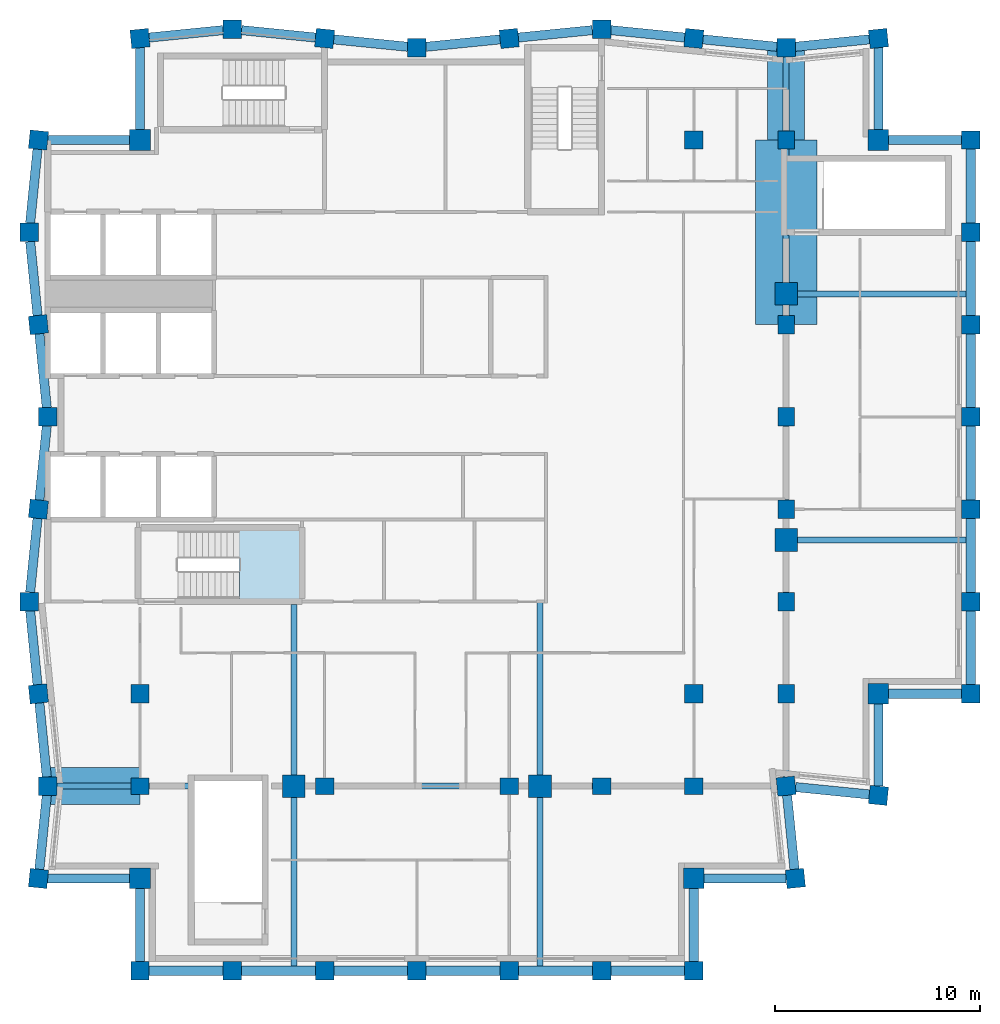
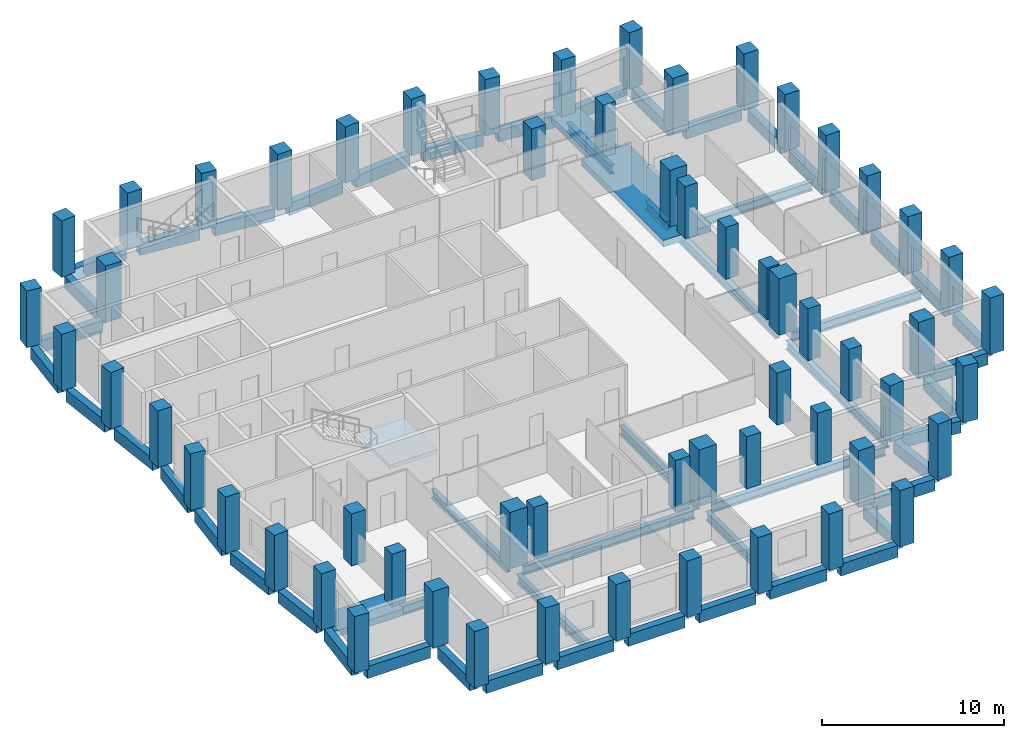
# One storey, part 1 of 7: 58 columns, 56 beams, 1 slab, 1 element without a shape of its own.
"""IFC4 building model written with IfcOpenShell, lengths in metres."""

from ifc_helpers import new_model, si_unit, direction, frame, origin, origin_2d, place, context, subcontext, project, spatial, polyline, rectangle, i_section, outline, extrude, material, layer, layer_set, material_profile, profile_set, type_object, element, aggregate, save


model = new_model("IFC4")

# Units and contexts
model_context = context("Model", 3, precision=1e-05, world=origin(), true_north=direction((0.0, 1.0)))
body_context = subcontext(model_context, "Body", "Model", "MODEL_VIEW")
ifc_project = project(units=[si_unit("LENGTHUNIT", "METRE"), si_unit("AREAUNIT", "SQUARE_METRE"), si_unit("VOLUMEUNIT", "CUBIC_METRE"), si_unit("PLANEANGLEUNIT", "RADIAN"), si_unit("MASSUNIT", "GRAM", prefix="KILO")], contexts=[model_context])

# Site, building, storey
site_placement = place(None, origin())
site = spatial("IfcSite", under=ifc_project, at=site_placement, CompositionType="ELEMENT")
building_placement = place(site_placement, origin())
building = spatial("IfcBuilding", under=site, at=building_placement, Name="Brondeck Convention Tower", CompositionType="ELEMENT")
storey_placement = place(building_placement, frame((0.0, 0.0, 279.0)))
storey = spatial("IfcBuildingStorey", under=building, at=storey_placement, Name="L69", CompositionType="ELEMENT", Elevation=279.0)

# Columns
ifc_material_1 = material(Name="Concrete C50/60", Category="concrete")
ifc_material_profile_1 = material_profile(ifc_material_1, rectangle(XDim=1.0, YDim=1.0, at=origin_2d()), Name="Corner column 1000x1000 Concrete C50/60")
ifc_profile_set_1 = profile_set([ifc_material_profile_1], Name="Concrete C50/60")
column_type_1 = type_object("IfcColumnType", Name="Corner column 1000x1000 Concrete C50/60", PredefinedType="COLUMN", material=ifc_profile_set_1)
for number, where, z_axis, x_axis, name in (
    (1, (4.5, 22.5, 0.0), (0.0, 0.0, 1.0), (1.0, 0.0, 0.0), "STR-COL-L69-NC-SWB18"),
    (2, (31.5, 22.5, 0.0), (0.0, 0.0, 1.0), (1.0, 0.0, 0.0), "STR-COL-L69-NC-SEB18"),
    (3, (40.5, 31.5, 0.0), (0.0, 0.0, 1.0), (1.0, 0.0, 0.0), "STR-COL-L69-NC-SEA45"),
    (4, (40.5, 58.5, 0.0), (0.0, 0.0, 1.0), (1.0, 0.0, 0.0), "STR-COL-L69-NC-NEA45"),
    (5, (4.5, 58.5, 0.0), (0.0, 0.0, 1.0), (1.0, 0.0, 0.0), "STR-COL-L69-NC-NW"),
):
    element("IfcColumn", number, at=place(storey_placement, frame(where, z_axis=z_axis, x_axis=x_axis)), inside=storey, type_object=column_type_1, Name=name, PredefinedType="COLUMN", context=body_context, shape_type="SweptSolid", body=[
        extrude(rectangle(XDim=1.0, YDim=1.0, at=origin_2d()), origin(), (0.0, 0.0, 1.0), 3.800048828125),
    ])
ifc_material_profile_2 = material_profile(ifc_material_1, rectangle(XDim=1.10009765625, YDim=1.10009765625, at=origin_2d()), Name="Interior column 1100x1100 Concrete C50/60")
ifc_profile_set_2 = profile_set([ifc_material_profile_2], Name="Concrete C50/60")
column_type_2 = type_object("IfcColumnType", Name="Interior column 1100x1100 Concrete C50/60", PredefinedType="COLUMN", material=ifc_profile_set_2)
for number, where, z_axis, x_axis, name in (
    (6, (12.0, 27.0, 0.0), (0.0, 0.0, 1.0), (1.0, 0.0, 0.0), "STR-COL-L69-IC-03"),
    (7, (24.0, 27.0, 0.0), (0.0, 0.0, 1.0), (1.0, 0.0, 0.0), "STR-COL-L69-IC-06"),
    (8, (36.0, 39.0, 0.0), (0.0, 0.0, 1.0), (1.0, 0.0, 0.0), "STR-COL-L69-IC-07"),
    (9, (36.0, 51.0, 0.0), (0.0, 0.0, 1.0), (1.0, 0.0, 0.0), "STR-COL-L69-IC-08"),
):
    element("IfcColumn", number, at=place(storey_placement, frame(where, z_axis=z_axis, x_axis=x_axis)), inside=storey, type_object=column_type_2, Name=name, PredefinedType="COLUMN", context=body_context, shape_type="SweptSolid", body=[
        extrude(rectangle(XDim=1.10009765625, YDim=1.10009765625, at=origin_2d()), origin(), (0.0, 0.0, 1.0), 3.800048828125),
    ])
ifc_material_profile_3 = material_profile(ifc_material_1, rectangle(XDim=0.89990234375, YDim=0.800048828125, at=origin_2d()), Name="Perimeter pier 900x800 Concrete C50/60")
ifc_profile_set_3 = profile_set([ifc_material_profile_3], Name="Concrete C50/60")
column_type_3 = type_object("IfcColumnType", Name="Perimeter pier 900x800 Concrete C50/60", PredefinedType="COLUMN", material=ifc_profile_set_3)
for number, where, z_axis, x_axis, name in (
    (10, (4.5, 27.0, 0.0), (0.0, 0.0, 1.0), (1.0, 0.0, 0.0), "Transfer post L69-47"),
    (11, (13.5, 27.0, 0.0), (0.0, 0.0, 1.0), (1.0, 0.0, 0.0), "Transfer post L69-49"),
    (12, (22.5, 27.0, 0.0), (0.0, 0.0, 1.0), (1.0, 0.0, 0.0), "Transfer post L69-50"),
    (13, (27.0, 27.0, 0.0), (0.0, 0.0, 1.0), (1.0, 0.0, 0.0), "Transfer post L69-51"),
    (14, (31.5, 27.0, 0.0), (0.0, 0.0, 1.0), (1.0, 0.0, 0.0), "Transfer post L69-52"),
    (15, (36.0, 31.5, 0.0), (0.0, 0.0, 1.0), (0.0, 1.0, 0.0), "Transfer post L69-55"),
    (16, (36.0, 36.0, 0.0), (0.0, 0.0, 1.0), (0.0, 1.0, 0.0), "Transfer post L69-56"),
    (17, (36.0, 40.5, 0.0), (0.0, 0.0, 1.0), (0.0, 1.0, 0.0), "Transfer post L69-57"),
    (18, (36.0, 45.0, 0.0), (0.0, 0.0, 1.0), (0.0, 1.0, 0.0), "Transfer post L69-58"),
    (19, (36.0, 49.5, 0.0), (0.0, 0.0, 1.0), (0.0, 1.0, 0.0), "Transfer post L69-59"),
    (20, (36.0, 58.5, 0.0), (0.0, 0.0, 1.0), (0.0, 1.0, 0.0), "Transfer post L69-60"),
):
    element("IfcColumn", number, at=place(storey_placement, frame(where, z_axis=z_axis, x_axis=x_axis)), inside=storey, type_object=column_type_3, Name=name, PredefinedType="COLUMN", context=body_context, shape_type="SweptSolid", body=[
        extrude(rectangle(XDim=0.89990234375, YDim=0.800048828125, at=origin_2d()), origin(), (0.0, 0.0, 1.0), 3.5),
    ])
ifc_material_profile_4 = material_profile(ifc_material_1, rectangle(XDim=0.89990234375, YDim=0.89990234375, at=origin_2d()), Name="Perimeter pier 900x900 Concrete C50/60")
ifc_profile_set_4 = profile_set([ifc_material_profile_4], Name="Concrete C50/60")
column_type_4 = type_object("IfcColumnType", Name="Perimeter pier 900x900 Concrete C50/60", PredefinedType="COLUMN", material=ifc_profile_set_4)
for number, where, z_axis, x_axis, name in (
    (21, (4.5, 18.0, 0.0), (0.0, 0.0, 1.0), (1.0, 0.0, 0.0), "STR-COL-L69-PC-B-S18-01"),
    (22, (9.0, 18.0, 0.0), (0.0, 0.0, 1.0), (1.0, 0.0, 0.0), "STR-COL-L69-PC-B-S18-02"),
    (23, (13.5, 18.0, 0.0), (0.0, 0.0, 1.0), (1.0, 0.0, 0.0), "STR-COL-L69-PC-B-S18-03"),
    (24, (18.0, 18.0, 0.0), (0.0, 0.0, 1.0), (1.0, 0.0, 0.0), "STR-COL-L69-PC-B-S18-04"),
    (25, (22.5, 18.0, 0.0), (0.0, 0.0, 1.0), (1.0, 0.0, 0.0), "STR-COL-L69-PC-B-S18-05"),
    (26, (27.0, 18.0, 0.0), (0.0, 0.0, 1.0), (1.0, 0.0, 0.0), "STR-COL-L69-PC-B-S18-06"),
    (27, (31.5, 18.0, 0.0), (0.0, 0.0, 1.0), (1.0, 0.0, 0.0), "STR-COL-L69-PC-B-S18-07"),
    (28, (36.449951171875, 22.5, 0.0), (0.0, 0.0, 1.0), (-0.0995038382, 0.995037178292, 0.0), "STR-COL-L69-PC-B-E-01"),
    (29, (36.0, 27.0, 0.0), (0.0, 0.0, 1.0), (-0.0995038382, 0.995037178292, 0.0), "STR-COL-L69-PC-B-E-00"),
    (30, (40.5, 26.550048828125, 0.0), (0.0, 0.0, 1.0), (0.995037178292, -0.0995038382, 0.0), "STR-COL-L69-PC-A-S-01"),
    (31, (45.0, 31.5, 0.0), (0.0, 0.0, 1.0), (0.0, 1.0, 0.0), "STR-COL-L69-PC-A-E45-01"),
    (32, (45.0, 36.0, 0.0), (0.0, 0.0, 1.0), (0.0, 1.0, 0.0), "STR-COL-L69-PC-A-E45-02"),
    (33, (45.0, 40.5, 0.0), (0.0, 0.0, 1.0), (0.0, 1.0, 0.0), "STR-COL-L69-PC-A-E45-03"),
    (34, (45.0, 45.0, 0.0), (0.0, 0.0, 1.0), (0.0, 1.0, 0.0), "STR-COL-L69-PC-A-E45-04"),
    (35, (45.0, 49.5, 0.0), (0.0, 0.0, 1.0), (0.0, 1.0, 0.0), "STR-COL-L69-PC-A-E45-05"),
    (36, (45.0, 54.0, 0.0), (0.0, 0.0, 1.0), (0.0, 1.0, 0.0), "STR-COL-L69-PC-A-E45-06"),
    (37, (45.0, 58.5, 0.0), (0.0, 0.0, 1.0), (0.0, 1.0, 0.0), "STR-COL-L69-PC-A-E45-07"),
    (38, (40.5, 63.449951171875, 0.0), (0.0, 0.0, 1.0), (-0.995037178292, -0.0995038382, 0.0), "STR-COL-L69-PC-A-N-09"),
    (39, (36.0, 63.0, 0.0), (0.0, 0.0, 1.0), (-1.0, 0.0, 0.0), "STR-COL-L69-PC-A-N-08"),
    (40, (31.5, 63.449951171875, 0.0), (0.0, 0.0, 1.0), (-0.995037178292, 0.0995038382, 0.0), "STR-COL-L69-PC-A-N-07"),
    (41, (27.0, 63.89990234375, 0.0), (0.0, 0.0, 1.0), (-1.0, 0.0, 0.0), "STR-COL-L69-PC-A-N-06"),
    (42, (22.5, 63.449951171875, 0.0), (0.0, 0.0, 1.0), (-0.995037178292, -0.0995038382, 0.0), "STR-COL-L69-PC-A-N-05"),
    (43, (18.0, 63.0, 0.0), (0.0, 0.0, 1.0), (-1.0, 0.0, 0.0), "STR-COL-L69-PC-A-N-04"),
    (44, (13.5, 63.449951171875, 0.0), (0.0, 0.0, 1.0), (-0.995037178292, 0.0995038382, 0.0), "STR-COL-L69-PC-A-N-03"),
    (45, (9.0, 63.89990234375, 0.0), (0.0, 0.0, 1.0), (-1.0, 0.0, 0.0), "STR-COL-L69-PC-A-N-02"),
    (46, (4.5, 63.449951171875, 0.0), (0.0, 0.0, 1.0), (-0.995037178292, -0.0995038382, 0.0), "STR-COL-L69-PC-A-N-01"),
    (47, (-0.449951171875, 58.5, 0.0), (0.0, 0.0, 1.0), (-0.0995038382, -0.995037178292, 0.0), "STR-COL-L69-PC-B-W-01"),
    (48, (-0.89990234375, 54.0, 0.0), (0.0, 0.0, 1.0), (0.0, -1.0, 0.0), "STR-COL-L69-PC-B-W-02"),
    (49, (-0.449951171875, 49.5, 0.0), (0.0, 0.0, 1.0), (0.0995038382, -0.995037178292, 0.0), "STR-COL-L69-PC-B-W-03"),
    (50, (0.0, 45.0, 0.0), (0.0, 0.0, 1.0), (0.0, -1.0, 0.0), "STR-COL-L69-PC-B-W-04"),
    (51, (-0.449951171875, 40.5, 0.0), (0.0, 0.0, 1.0), (-0.0995038382, -0.995037178292, 0.0), "STR-COL-L69-PC-B-W-05"),
    (52, (-0.89990234375, 36.0, 0.0), (0.0, 0.0, 1.0), (0.0, -1.0, 0.0), "STR-COL-L69-PC-B-W-06"),
    (53, (-0.449951171875, 31.5, 0.0), (0.0, 0.0, 1.0), (0.0995038382, -0.995037178292, 0.0), "STR-COL-L69-PC-B-W-07"),
    (54, (0.0, 27.0, 0.0), (0.0, 0.0, 1.0), (0.0, -1.0, 0.0), "STR-COL-L69-PC-B-W-08"),
    (55, (-0.449951171875, 22.5, 0.0), (0.0, 0.0, 1.0), (-0.0995038382, -0.995037178292, 0.0), "STR-COL-L69-PC-B-W-09"),
):
    element("IfcColumn", number, at=place(storey_placement, frame(where, z_axis=z_axis, x_axis=x_axis)), inside=storey, type_object=column_type_4, Name=name, PredefinedType="COLUMN", context=body_context, shape_type="SweptSolid", body=[
        extrude(rectangle(XDim=0.89990234375, YDim=0.89990234375, at=origin_2d()), origin(), (0.0, 0.0, 1.0), 3.800048828125),
    ])
for number, where, z_axis, x_axis, name in (
    (56, (4.5, 31.5, 0.0), (0.0, 0.0, 1.0), (1.0, 0.0, 0.0), "Transfer post L69-48"),
    (57, (31.5, 31.5, 0.0), (0.0, 0.0, 1.0), (1.0, 0.0, 0.0), "Transfer post L69-53"),
    (58, (31.5, 58.5, 0.0), (0.0, 0.0, 1.0), (1.0, 0.0, 0.0), "Transfer post L69-54"),
):
    element("IfcColumn", number, at=place(storey_placement, frame(where, z_axis=z_axis, x_axis=x_axis)), inside=storey, type_object=column_type_4, Name=name, PredefinedType="COLUMN", context=body_context, shape_type="SweptSolid", body=[
        extrude(rectangle(XDim=0.89990234375, YDim=0.89990234375, at=origin_2d()), origin(), (0.0, 0.0, 1.0), 3.5),
    ])

# Beams
ifc_material_profile_5 = material_profile(ifc_material_1, rectangle(XDim=1.800048828125, YDim=0.43994140625, at=origin_2d()), Name="Band beam 1800x440 Concrete C50/60")
ifc_profile_set_5 = profile_set([ifc_material_profile_5], Name="Concrete C50/60")
beam_type_1 = type_object("IfcBeamType", Name="Band beam 1800x440 Concrete C50/60", PredefinedType="BEAM", material=ifc_profile_set_5)
for number, where, z_axis, x_axis, name in (
    (59, (4.5, 27.0, -0.219970703125), (-1.0, 0.0, 0.0), (0.0, -1.0, 0.0), "Band beam L69-32"),
    (60, (36.0, 58.5, -0.219970703125), (0.0, 1.0, 0.0), (-1.0, 0.0, 0.0), "Band beam L69-34"),
):
    element("IfcBeam", number, at=place(storey_placement, frame(where, z_axis=z_axis, x_axis=x_axis)), inside=storey, type_object=beam_type_1, Name=name, PredefinedType="BEAM", context=body_context, shape_type="SweptSolid", body=[
        extrude(rectangle(XDim=1.800048828125, YDim=0.43994140625, at=origin_2d()), origin(), (0.0, 0.0, 1.0), 4.5),
    ])
ifc_material_profile_6 = material_profile(ifc_material_1, rectangle(XDim=3.0, YDim=0.43994140625, at=origin_2d()), Name="Band beam 3000x440 Concrete C50/60")
ifc_profile_set_6 = profile_set([ifc_material_profile_6], Name="Concrete C50/60")
beam_type_2 = type_object("IfcBeamType", Name="Band beam 3000x440 Concrete C50/60", PredefinedType="BEAM", material=ifc_profile_set_6)
beam_1_placement = place(storey_placement, frame((36.0, 49.5, -0.219970703125), z_axis=(0.0, 1.0, 0.0), x_axis=(-1.0, 0.0, 0.0)))
element("IfcBeam", 61, at=beam_1_placement, inside=storey, type_object=beam_type_2, Name="Band beam L69-33", PredefinedType="BEAM", context=body_context, shape_type="SweptSolid", body=[
    extrude(rectangle(XDim=3.0, YDim=0.43994140625, at=origin_2d()), origin(), (0.0, 0.0, 1.0), 9.0),
])
ifc_material_2 = material(Name="Steel S355", Category="steel")
ifc_material_profile_7 = material_profile(ifc_material_2, i_section(OverallWidth=0.300048828125, OverallDepth=0.60009765625, WebThickness=0.015380859375, FlangeThickness=0.030029296875, FilletRadius=0.027099609375, at=origin_2d()), Name="HEB 600")
ifc_profile_set_7 = profile_set([ifc_material_profile_7], Name="Steel S355")
beam_type_3 = type_object("IfcBeamType", Name="Girder HEB 600", PredefinedType="BEAM", material=ifc_profile_set_7)
for number, where, z_axis, x_axis, name in (
    (62, (36.550048828125, 39.0, -0.75), (1.0, 0.0, 0.0), (0.0, 1.0, 0.0), "STR-GR-L69-001"),
    (63, (36.550048828125, 51.0, -0.75), (1.0, 0.0, 0.0), (0.0, 1.0, 0.0), "STR-GR-L69-002"),
):
    element("IfcBeam", number, at=place(storey_placement, frame(where, z_axis=z_axis, x_axis=x_axis)), inside=storey, type_object=beam_type_3, Name=name, PredefinedType="BEAM", context=body_context, shape_type="SweptSolid", body=[
        extrude(i_section(OverallWidth=0.300048828125, OverallDepth=0.60009765625, WebThickness=0.015380859375, FlangeThickness=0.030029296875, FilletRadius=0.027099609375, at=origin_2d()), origin(), (0.0, 0.0, 1.0), 8.224853515625),
    ])
beam_2_placement = place(storey_placement, frame((36.0, 27.4521484375, -0.75), z_axis=(0.0, 1.0, 0.0), x_axis=(-1.0, 0.0, 0.0)))
element("IfcBeam", 64, at=beam_2_placement, inside=storey, type_object=beam_type_3, Name="STR-GR-L69-003", PredefinedType="BEAM", context=body_context, shape_type="SweptSolid", body=[
    extrude(i_section(OverallWidth=0.300048828125, OverallDepth=0.60009765625, WebThickness=0.015380859375, FlangeThickness=0.030029296875, FilletRadius=0.027099609375, at=origin_2d()), origin(), (0.0, 0.0, 1.0), 10.997802734375),
])
beam_3_placement = place(storey_placement, frame((36.0, 39.550048828125, -0.75), z_axis=(0.0, 1.0, 0.0), x_axis=(-1.0, 0.0, 0.0)))
element("IfcBeam", 65, at=beam_3_placement, inside=storey, type_object=beam_type_3, Name="STR-GR-L69-004", PredefinedType="BEAM", context=body_context, shape_type="SweptSolid", body=[
    extrude(i_section(OverallWidth=0.300048828125, OverallDepth=0.60009765625, WebThickness=0.015380859375, FlangeThickness=0.030029296875, FilletRadius=0.027099609375, at=origin_2d()), origin(), (0.0, 0.0, 1.0), 10.89990234375),
])
beam_4_placement = place(storey_placement, frame((36.0, 51.550048828125, -0.75), z_axis=(0.0, 1.0, 0.0), x_axis=(-1.0, 0.0, 0.0)))
element("IfcBeam", 66, at=beam_4_placement, inside=storey, type_object=beam_type_3, Name="STR-GR-L69-005", PredefinedType="BEAM", context=body_context, shape_type="SweptSolid", body=[
    extrude(i_section(OverallWidth=0.300048828125, OverallDepth=0.60009765625, WebThickness=0.015380859375, FlangeThickness=0.030029296875, FilletRadius=0.027099609375, at=origin_2d()), origin(), (0.0, 0.0, 1.0), 2.329833984375),
])
beam_5_placement = place(storey_placement, frame((36.0, 57.719970703125, -0.75), z_axis=(0.0, 1.0, 0.0), x_axis=(-1.0, 0.0, 0.0)))
element("IfcBeam", 67, at=beam_5_placement, inside=storey, type_object=beam_type_3, Name="STR-GR-L69-006", PredefinedType="BEAM", context=body_context, shape_type="SweptSolid", body=[
    extrude(i_section(OverallWidth=0.300048828125, OverallDepth=0.60009765625, WebThickness=0.015380859375, FlangeThickness=0.030029296875, FilletRadius=0.027099609375, at=origin_2d()), origin(), (0.0, 0.0, 1.0), 4.830078125),
])
beam_6_placement = place(storey_placement, frame((12.0, 35.85009765625, -0.75), z_axis=(0.0, -1.0, 0.0), x_axis=(1.0, 0.0, 0.0)))
element("IfcBeam", 68, at=beam_6_placement, inside=storey, type_object=beam_type_3, Name="STR-GR-L69-007", PredefinedType="BEAM", context=body_context, shape_type="SweptSolid", body=[
    extrude(i_section(OverallWidth=0.300048828125, OverallDepth=0.60009765625, WebThickness=0.015380859375, FlangeThickness=0.030029296875, FilletRadius=0.027099609375, at=origin_2d()), origin(), (0.0, 0.0, 1.0), 8.300048828125),
])
beam_7_placement = place(storey_placement, frame((12.0, 26.449951171875, -0.75), z_axis=(0.0, -1.0, 0.0), x_axis=(1.0, 0.0, 0.0)))
element("IfcBeam", 69, at=beam_7_placement, inside=storey, type_object=beam_type_3, Name="STR-GR-L69-008", PredefinedType="BEAM", context=body_context, shape_type="SweptSolid", body=[
    extrude(i_section(OverallWidth=0.300048828125, OverallDepth=0.60009765625, WebThickness=0.015380859375, FlangeThickness=0.030029296875, FilletRadius=0.027099609375, at=origin_2d()), origin(), (0.0, 0.0, 1.0), 8.224853515625),
])
beam_8_placement = place(storey_placement, frame((24.0, 35.955078125, -0.75), z_axis=(0.0, -1.0, 0.0), x_axis=(1.0, 0.0, 0.0)))
element("IfcBeam", 70, at=beam_8_placement, inside=storey, type_object=beam_type_3, Name="STR-GR-L69-009", PredefinedType="BEAM", context=body_context, shape_type="SweptSolid", body=[
    extrude(i_section(OverallWidth=0.300048828125, OverallDepth=0.60009765625, WebThickness=0.015380859375, FlangeThickness=0.030029296875, FilletRadius=0.027099609375, at=origin_2d()), origin(), (0.0, 0.0, 1.0), 8.405029296875),
])
beam_9_placement = place(storey_placement, frame((24.0, 26.449951171875, -0.75), z_axis=(0.0, -1.0, 0.0), x_axis=(1.0, 0.0, 0.0)))
element("IfcBeam", 71, at=beam_9_placement, inside=storey, type_object=beam_type_3, Name="STR-GR-L69-010", PredefinedType="BEAM", context=body_context, shape_type="SweptSolid", body=[
    extrude(i_section(OverallWidth=0.300048828125, OverallDepth=0.60009765625, WebThickness=0.015380859375, FlangeThickness=0.030029296875, FilletRadius=0.027099609375, at=origin_2d()), origin(), (0.0, 0.0, 1.0), 8.224853515625),
])
beam_10_placement = place(storey_placement, frame((0.449951171875, 27.0, -0.75), z_axis=(1.0, 0.0, 0.0), x_axis=(0.0, 1.0, 0.0)))
element("IfcBeam", 72, at=beam_10_placement, inside=storey, type_object=beam_type_3, Name="STR-GR-L69-011", PredefinedType="BEAM", context=body_context, shape_type="SweptSolid", body=[
    extrude(i_section(OverallWidth=0.300048828125, OverallDepth=0.60009765625, WebThickness=0.015380859375, FlangeThickness=0.030029296875, FilletRadius=0.027099609375, at=origin_2d()), origin(), (0.0, 0.0, 1.0), 6.429931640625),
])
beam_11_placement = place(storey_placement, frame((12.550048828125, 27.0, -0.75), z_axis=(1.0, 0.0, 0.0), x_axis=(0.0, 1.0, 0.0)))
element("IfcBeam", 73, at=beam_11_placement, inside=storey, type_object=beam_type_3, Name="STR-GR-L69-012", PredefinedType="BEAM", context=body_context, shape_type="SweptSolid", body=[
    extrude(i_section(OverallWidth=0.300048828125, OverallDepth=0.60009765625, WebThickness=0.015380859375, FlangeThickness=0.030029296875, FilletRadius=0.027099609375, at=origin_2d()), origin(), (0.0, 0.0, 1.0), 10.89990234375),
])
beam_12_placement = place(storey_placement, frame((24.550048828125, 27.0, -0.75), z_axis=(1.0, 0.0, 0.0), x_axis=(0.0, 1.0, 0.0)))
element("IfcBeam", 74, at=beam_12_placement, inside=storey, type_object=beam_type_3, Name="STR-GR-L69-013", PredefinedType="BEAM", context=body_context, shape_type="SweptSolid", body=[
    extrude(i_section(OverallWidth=0.300048828125, OverallDepth=0.60009765625, WebThickness=0.015380859375, FlangeThickness=0.030029296875, FilletRadius=0.027099609375, at=origin_2d()), origin(), (0.0, 0.0, 1.0), 10.997802734375),
])
ifc_material_profile_8 = material_profile(ifc_material_1, rectangle(XDim=0.449951171875, YDim=0.800048828125, at=origin_2d()), Name="Precast spandrel 450x800 Concrete C50/60")
ifc_profile_set_8 = profile_set([ifc_material_profile_8], Name="Concrete C50/60")
beam_type_4 = type_object("IfcBeamType", Name="Precast spandrel 450x800 Concrete C50/60", PredefinedType="SPANDREL", material=ifc_profile_set_8)
for number, where, z_axis, x_axis, name in (
    (75, (4.949951171875, 18.0, -0.39990234375), (1.0, 0.0, 0.0), (0.0, 1.0, 0.0), "STR-SP-L69-001"),
    (76, (9.449951171875, 18.0, -0.39990234375), (1.0, 0.0, 0.0), (0.0, 1.0, 0.0), "STR-SP-L69-002"),
    (77, (13.949951171875, 18.0, -0.39990234375), (1.0, 0.0, 0.0), (0.0, 1.0, 0.0), "STR-SP-L69-003"),
    (78, (18.449951171875, 18.0, -0.39990234375), (1.0, 0.0, 0.0), (0.0, 1.0, 0.0), "STR-SP-L69-004"),
    (79, (22.949951171875, 18.0, -0.39990234375), (1.0, 0.0, 0.0), (0.0, 1.0, 0.0), "STR-SP-L69-005"),
    (80, (27.449951171875, 18.0, -0.39990234375), (1.0, 0.0, 0.0), (0.0, 1.0, 0.0), "STR-SP-L69-006"),
):
    element("IfcBeam", number, at=place(storey_placement, frame(where, z_axis=z_axis, x_axis=x_axis)), inside=storey, type_object=beam_type_4, Name=name, PredefinedType="SPANDREL", context=body_context, shape_type="SweptSolid", body=[
        extrude(rectangle(XDim=0.449951171875, YDim=0.800048828125, at=origin_2d()), origin(), (0.0, 0.0, 1.0), 3.60009765625),
    ])
beam_13_placement = place(storey_placement, frame((31.5, 18.449951171875, -0.39990234375), z_axis=(0.0, 1.0, 0.0), x_axis=(-1.0, 0.0, 0.0)))
element("IfcBeam", 81, at=beam_13_placement, inside=storey, type_object=beam_type_4, Name="STR-SP-L69-007", PredefinedType="SPANDREL", context=body_context, shape_type="SweptSolid", body=[
    extrude(rectangle(XDim=0.449951171875, YDim=0.800048828125, at=origin_2d()), origin(), (0.0, 0.0, 1.0), 3.550048828125),
])
beam_14_placement = place(storey_placement, frame((32.0, 22.5, -0.39990234375), z_axis=(1.0, 0.0, 0.0), x_axis=(0.0, 1.0, 0.0)))
element("IfcBeam", 82, at=beam_14_placement, inside=storey, type_object=beam_type_4, Name="STR-SP-L69-008", PredefinedType="SPANDREL", context=body_context, shape_type="SweptSolid", body=[
    extrude(rectangle(XDim=0.449951171875, YDim=0.800048828125, at=origin_2d()), origin(), (0.0, 0.0, 1.0), 3.997802734375),
])
beam_15_placement = place(storey_placement, frame((36.4052734375, 22.94775390625, -0.39990234375), z_axis=(-0.099543756114, 0.995033185687, 0.0), x_axis=(-0.995033185687, -0.099543756114, 0.0)))
element("IfcBeam", 83, at=beam_15_placement, inside=storey, type_object=beam_type_4, Name="STR-SP-L69-009", PredefinedType="SPANDREL", context=body_context, shape_type="SweptSolid", body=[
    extrude(rectangle(XDim=0.449951171875, YDim=0.800048828125, at=origin_2d()), origin(), (0.0, 0.0, 1.0), 3.62255859375),
])
beam_16_placement = place(storey_placement, frame((36.456787109375, 26.954345703125, -0.39990234375), z_axis=(0.995035183115, -0.099523787922, 0.0), x_axis=(0.099523787922, 0.995035183115, 0.0)))
element("IfcBeam", 84, at=beam_16_placement, inside=storey, type_object=beam_type_4, Name="STR-SP-L69-010", PredefinedType="SPANDREL", context=body_context, shape_type="SweptSolid", body=[
    extrude(rectangle(XDim=0.449951171875, YDim=0.800048828125, at=origin_2d()), origin(), (0.0, 0.0, 1.0), 3.61328125),
])
beam_17_placement = place(storey_placement, frame((40.5, 27.002197265625, -0.39990234375), z_axis=(0.0, 1.0, 0.0), x_axis=(-1.0, 0.0, 0.0)))
element("IfcBeam", 85, at=beam_17_placement, inside=storey, type_object=beam_type_4, Name="STR-SP-L69-011", PredefinedType="SPANDREL", context=body_context, shape_type="SweptSolid", body=[
    extrude(rectangle(XDim=0.449951171875, YDim=0.800048828125, at=origin_2d()), origin(), (0.0, 0.0, 1.0), 3.997802734375),
])
beam_18_placement = place(storey_placement, frame((41.0, 31.5, -0.39990234375), z_axis=(1.0, 0.0, 0.0), x_axis=(0.0, 1.0, 0.0)))
element("IfcBeam", 86, at=beam_18_placement, inside=storey, type_object=beam_type_4, Name="STR-SP-L69-012", PredefinedType="SPANDREL", context=body_context, shape_type="SweptSolid", body=[
    extrude(rectangle(XDim=0.449951171875, YDim=0.800048828125, at=origin_2d()), origin(), (0.0, 0.0, 1.0), 3.550048828125),
])
for number, where, z_axis, x_axis, name in (
    (87, (45.0, 31.949951171875, -0.39990234375), (0.0, 1.0, 0.0), (-1.0, 0.0, 0.0), "STR-SP-L69-013"),
    (88, (45.0, 36.449951171875, -0.39990234375), (0.0, 1.0, 0.0), (-1.0, 0.0, 0.0), "STR-SP-L69-014"),
    (89, (45.0, 40.949951171875, -0.39990234375), (0.0, 1.0, 0.0), (-1.0, 0.0, 0.0), "STR-SP-L69-015"),
    (90, (45.0, 45.449951171875, -0.39990234375), (0.0, 1.0, 0.0), (-1.0, 0.0, 0.0), "STR-SP-L69-016"),
    (91, (45.0, 49.949951171875, -0.39990234375), (0.0, 1.0, 0.0), (-1.0, 0.0, 0.0), "STR-SP-L69-017"),
    (92, (45.0, 54.449951171875, -0.39990234375), (0.0, 1.0, 0.0), (-1.0, 0.0, 0.0), "STR-SP-L69-018"),
):
    element("IfcBeam", number, at=place(storey_placement, frame(where, z_axis=z_axis, x_axis=x_axis)), inside=storey, type_object=beam_type_4, Name=name, PredefinedType="SPANDREL", context=body_context, shape_type="SweptSolid", body=[
        extrude(rectangle(XDim=0.449951171875, YDim=0.800048828125, at=origin_2d()), origin(), (0.0, 0.0, 1.0), 3.60009765625),
    ])
beam_19_placement = place(storey_placement, frame((44.550048828125, 58.5, -0.39990234375), z_axis=(-1.0, 0.0, 0.0), x_axis=(0.0, -1.0, 0.0)))
element("IfcBeam", 93, at=beam_19_placement, inside=storey, type_object=beam_type_4, Name="STR-SP-L69-019", PredefinedType="SPANDREL", context=body_context, shape_type="SweptSolid", body=[
    extrude(rectangle(XDim=0.449951171875, YDim=0.800048828125, at=origin_2d()), origin(), (0.0, 0.0, 1.0), 3.550048828125),
])
beam_20_placement = place(storey_placement, frame((40.5, 59.0, -0.39990234375), z_axis=(0.0, 1.0, 0.0), x_axis=(-1.0, 0.0, 0.0)))
element("IfcBeam", 94, at=beam_20_placement, inside=storey, type_object=beam_type_4, Name="STR-SP-L69-020", PredefinedType="SPANDREL", context=body_context, shape_type="SweptSolid", body=[
    extrude(rectangle(XDim=0.449951171875, YDim=0.800048828125, at=origin_2d()), origin(), (0.0, 0.0, 1.0), 3.997802734375),
])
for number, where, z_axis, x_axis, name in (
    (95, (40.05224609375, 63.4052734375, -0.39990234375), (-0.995033851182, -0.099537103649, 0.0), (0.099537103649, -0.995033851182, 0.0), "STR-SP-L69-021"),
    (96, (35.550048828125, 63.044921875, -0.39990234375), (-0.995033851182, 0.099537103649, 0.0), (-0.099537103649, -0.995033851182, 0.0), "STR-SP-L69-022"),
    (97, (31.05224609375, 63.494873046875, -0.39990234375), (-0.995040528141, 0.099470334057, 0.0), (-0.099470334057, -0.995040528141, 0.0), "STR-SP-L69-023"),
    (98, (26.550048828125, 63.85498046875, -0.39990234375), (-0.995040528141, -0.099470334057, 0.0), (0.099470334057, -0.995040528141, 0.0), "STR-SP-L69-024"),
    (99, (22.05224609375, 63.4052734375, -0.39990234375), (-0.995033851182, -0.099537103649, 0.0), (0.099537103649, -0.995033851182, 0.0), "STR-SP-L69-025"),
    (100, (17.550048828125, 63.044921875, -0.39990234375), (-0.995033851182, 0.099537103649, 0.0), (-0.099537103649, -0.995033851182, 0.0), "STR-SP-L69-026"),
    (101, (13.05224609375, 63.494873046875, -0.39990234375), (-0.995040528141, 0.099470334057, 0.0), (-0.099470334057, -0.995040528141, 0.0), "STR-SP-L69-027"),
    (102, (8.550048828125, 63.85498046875, -0.39990234375), (-0.995040528141, -0.099470334057, 0.0), (0.099470334057, -0.995040528141, 0.0), "STR-SP-L69-028"),
):
    element("IfcBeam", number, at=place(storey_placement, frame(where, z_axis=z_axis, x_axis=x_axis)), inside=storey, type_object=beam_type_4, Name=name, PredefinedType="SPANDREL", context=body_context, shape_type="SweptSolid", body=[
        extrude(rectangle(XDim=0.449951171875, YDim=0.800048828125, at=origin_2d()), origin(), (0.0, 0.0, 1.0), 3.620361328125),
    ])
for number, where, z_axis, x_axis, name in (
    (103, (4.5, 62.997802734375, -0.39990234375), (0.0, -1.0, 0.0), (1.0, 0.0, 0.0), "STR-SP-L69-029"),
    (104, (4.0, 58.5, -0.39990234375), (-1.0, 0.0, 0.0), (0.0, -1.0, 0.0), "STR-SP-L69-030"),
):
    element("IfcBeam", number, at=place(storey_placement, frame(where, z_axis=z_axis, x_axis=x_axis)), inside=storey, type_object=beam_type_4, Name=name, PredefinedType="SPANDREL", context=body_context, shape_type="SweptSolid", body=[
        extrude(rectangle(XDim=0.449951171875, YDim=0.800048828125, at=origin_2d()), origin(), (0.0, 0.0, 1.0), 3.997802734375),
    ])
for number, where, z_axis, x_axis, name in (
    (105, (-0.494873046875, 58.05224609375, -0.39990234375), (-0.099470334057, -0.995040528141, 0.0), (0.995040528141, -0.099470334057, 0.0), "STR-SP-L69-031"),
    (106, (-0.85498046875, 53.550048828125, -0.39990234375), (0.099470334057, -0.995040528141, 0.0), (0.995040528141, 0.099470334057, 0.0), "STR-SP-L69-032"),
    (107, (-0.4052734375, 49.05224609375, -0.39990234375), (0.099537103649, -0.995033851182, 0.0), (0.995033851182, 0.099537103649, 0.0), "STR-SP-L69-033"),
    (108, (-0.044921875, 44.550048828125, -0.39990234375), (-0.099537103649, -0.995033851182, 0.0), (0.995033851182, -0.099537103649, 0.0), "STR-SP-L69-034"),
    (109, (-0.494873046875, 40.05224609375, -0.39990234375), (-0.099470334057, -0.995040528141, 0.0), (0.995040528141, -0.099470334057, 0.0), "STR-SP-L69-035"),
    (110, (-0.85498046875, 35.550048828125, -0.39990234375), (0.099470334057, -0.995040528141, 0.0), (0.995040528141, 0.099470334057, 0.0), "STR-SP-L69-036"),
    (111, (-0.4052734375, 31.05224609375, -0.39990234375), (0.099537103649, -0.995033851182, 0.0), (0.995033851182, 0.099537103649, 0.0), "STR-SP-L69-037"),
    (112, (-0.044921875, 26.550048828125, -0.39990234375), (-0.099537103649, -0.995033851182, 0.0), (0.995033851182, -0.099537103649, 0.0), "STR-SP-L69-038"),
):
    element("IfcBeam", number, at=place(storey_placement, frame(where, z_axis=z_axis, x_axis=x_axis)), inside=storey, type_object=beam_type_4, Name=name, PredefinedType="SPANDREL", context=body_context, shape_type="SweptSolid", body=[
        extrude(rectangle(XDim=0.449951171875, YDim=0.800048828125, at=origin_2d()), origin(), (0.0, 0.0, 1.0), 3.620361328125),
    ])
beam_21_placement = place(storey_placement, frame((0.002197265625, 22.5, -0.39990234375), z_axis=(1.0, 0.0, 0.0), x_axis=(0.0, 1.0, 0.0)))
element("IfcBeam", 113, at=beam_21_placement, inside=storey, type_object=beam_type_4, Name="STR-SP-L69-039", PredefinedType="SPANDREL", context=body_context, shape_type="SweptSolid", body=[
    extrude(rectangle(XDim=0.449951171875, YDim=0.800048828125, at=origin_2d()), origin(), (0.0, 0.0, 1.0), 3.997802734375),
])
beam_22_placement = place(storey_placement, frame((4.5, 22.0, -0.39990234375), z_axis=(0.0, -1.0, 0.0), x_axis=(1.0, 0.0, 0.0)))
element("IfcBeam", 114, at=beam_22_placement, inside=storey, type_object=beam_type_4, Name="STR-SP-L69-040", PredefinedType="SPANDREL", context=body_context, shape_type="SweptSolid", body=[
    extrude(rectangle(XDim=0.449951171875, YDim=0.800048828125, at=origin_2d()), origin(), (0.0, 0.0, 1.0), 3.550048828125),
])

# Stair, slab
ifc_material_3 = material(Name="Precast concrete C50/60", Category="concrete")
stair_type = type_object("IfcStairType", Name="Core stair 22 risers 172.73 mm riser 300 mm going 1350 wide", PredefinedType="HALF_TURN_STAIR", material=ifc_material_3)
stair_placement = place(storey_placement, origin())
stair = element("IfcStair", 115, at=stair_placement, inside=storey, type_object=stair_type, Name="ST-1 L69 stair", PredefinedType="HALF_TURN_STAIR")
ifc_layer = layer(ifc_material_3, 0.25)
ifc_layer_set = layer_set([ifc_layer], Name="Core stair landing 250 Precast concrete C50/60")
slab_type = type_object("IfcSlabType", Name="Core stair landing 250 Precast concrete C50/60", PredefinedType="LANDING", material=ifc_layer_set)
slab_placement = place(storey_placement, frame((0.0, 0.0, 1.64990234375)))
slab = element("IfcSlab", 116, at=slab_placement, type_object=slab_type, Name="ST-1 landing 1", PredefinedType="LANDING", context=body_context, shape_type="SweptSolid", body=[
    extrude(outline(polyline([(9.347900390625, 37.5), (9.35009765625, 37.5), (9.35009765625, 38.10009765625), (9.050048828125, 38.10009765625), (9.050048828125, 39.570068359375), (12.3701171875, 39.570068359375), (12.3701171875, 36.030029296875), (9.347900390625, 36.030029296875), (9.347900390625, 37.5)])), origin(), (0.0, 0.0, 1.0), 0.25),
])
aggregate(stair, [slab])

save(model, "model.ifc")
